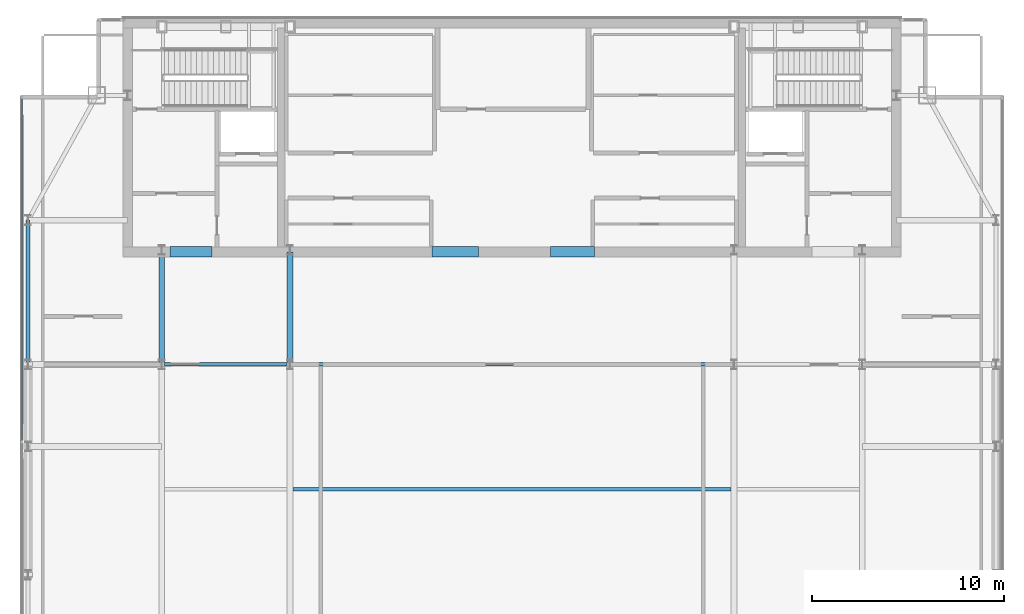
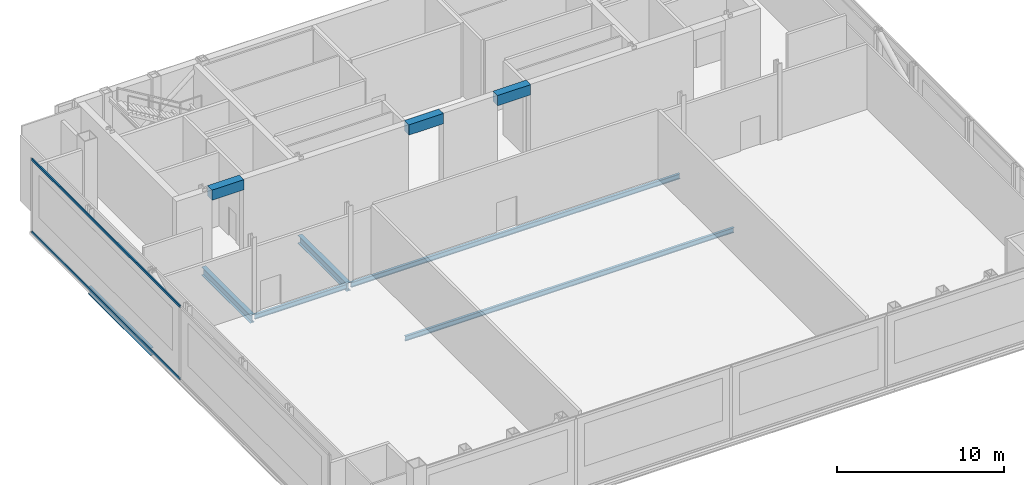
# One storey, part 9 of 22: 9 beams, 2 members, 1 element without a shape of its own.
"""IFC4 building model written with IfcOpenShell, lengths in metres."""

from ifc_helpers import new_model, si_unit, direction, frame, origin, origin_2d, place, context, subcontext, project, spatial, rectangle, hollow_rectangle, i_section, extrude, material, material_profile, profile_set, type_object, element, aggregate, save


model = new_model("IFC4")

# Units and contexts
model_context = context("Model", 3, precision=1e-05, world=origin(), true_north=direction((0.0, 1.0)))
body_context = subcontext(model_context, "Body", "Model", "MODEL_VIEW")
ifc_project = project(units=[si_unit("LENGTHUNIT", "METRE"), si_unit("AREAUNIT", "SQUARE_METRE"), si_unit("VOLUMEUNIT", "CUBIC_METRE"), si_unit("PLANEANGLEUNIT", "RADIAN"), si_unit("MASSUNIT", "GRAM", prefix="KILO")], contexts=[model_context])

# Site, building, storey
site_placement = place(None, origin())
site = spatial("IfcSite", under=ifc_project, at=site_placement, CompositionType="ELEMENT")
building_placement = place(site_placement, origin())
building = spatial("IfcBuilding", under=site, at=building_placement, Name="Khoronbel Lancet Exchange", CompositionType="ELEMENT")
storey_placement = place(building_placement, frame((0.0, 0.0, 373.0)))
storey = spatial("IfcBuildingStorey", under=building, at=storey_placement, Name="L95", CompositionType="ELEMENT", Elevation=373.0)

# Beams
ifc_material_1 = material(Name="Steel S355", Category="steel")
ifc_material_profile_1 = material_profile(ifc_material_1, i_section(OverallWidth=0.300048828125, OverallDepth=0.60009765625, WebThickness=0.015380859375, FlangeThickness=0.030029296875, at=origin_2d()), Name="HEB 600")
ifc_profile_set_1 = profile_set([ifc_material_profile_1], Name="Steel S355")
beam_type_1 = type_object("IfcBeamType", Name="BM-BG5", PredefinedType="BEAM", material=ifc_profile_set_1)
for number, where, z_axis, x_axis, name in (
    (1, (18.22509765625, 35.699951171875, -0.5), (0.0, 1.0, 0.0), (-1.0, 0.0, 0.0), "Level L95 spine tie girder GN1"),
    (2, (24.89990234375, 35.699951171875, -0.5), (0.0, 1.0, 0.0), (-1.0, 0.0, 0.0), "Level L95 spine tie girder GN2"),
):
    element("IfcBeam", number, at=place(storey_placement, frame(where, z_axis=z_axis, x_axis=x_axis)), inside=storey, type_object=beam_type_1, Name=name, PredefinedType="BEAM", context=body_context, shape_type="SweptSolid", body=[
        extrude(i_section(OverallWidth=0.300048828125, OverallDepth=0.60009765625, WebThickness=0.015380859375, FlangeThickness=0.030029296875, at=origin_2d()), origin(), (0.0, 0.0, 1.0), 5.85009765625),
    ])
ifc_material_profile_2 = material_profile(ifc_material_1, i_section(OverallWidth=0.169921875, OverallDepth=0.360107421875, WebThickness=0.008056640625, FlangeThickness=0.0126953125, at=origin_2d()), Name="IPE 360")
ifc_profile_set_2 = profile_set([ifc_material_profile_2], Name="Steel S355")
beam_type_2 = type_object("IfcBeamType", Name="BM-BJ6", PredefinedType="JOIST", material=ifc_profile_set_2)
beam_1_placement = place(storey_placement, frame((25.050048828125, 29.199951171875, -0.3798828125), z_axis=(1.0, 0.0, 0.0), x_axis=(0.0, 1.0, 0.0)))
element("IfcBeam", 3, at=beam_1_placement, inside=storey, type_object=beam_type_2, Name="Level L95 secondary composite joist J08", PredefinedType="JOIST", context=body_context, shape_type="SweptSolid", body=[
    extrude(i_section(OverallWidth=0.169921875, OverallDepth=0.360107421875, WebThickness=0.008056640625, FlangeThickness=0.0126953125, at=origin_2d()), origin(), (0.0, 0.0, 1.0), 22.800048828125),
])
beam_2_placement = place(storey_placement, frame((18.375, 35.699951171875, -0.3798828125), z_axis=(1.0, 0.0, 0.0), x_axis=(0.0, 1.0, 0.0)))
element("IfcBeam", 4, at=beam_2_placement, inside=storey, type_object=beam_type_2, Name="Level L95 secondary composite joist J10", PredefinedType="JOIST", context=body_context, shape_type="SweptSolid", body=[
    extrude(i_section(OverallWidth=0.169921875, OverallDepth=0.360107421875, WebThickness=0.008056640625, FlangeThickness=0.0126953125, at=origin_2d()), origin(), (0.0, 0.0, 1.0), 6.375),
])
beam_3_placement = place(storey_placement, frame((25.050048828125, 35.699951171875, -0.3798828125), z_axis=(1.0, 0.0, 0.0), x_axis=(0.0, 1.0, 0.0)))
element("IfcBeam", 5, at=beam_3_placement, inside=storey, type_object=beam_type_2, Name="Level L95 secondary composite joist J11", PredefinedType="JOIST", context=body_context, shape_type="SweptSolid", body=[
    extrude(i_section(OverallWidth=0.169921875, OverallDepth=0.360107421875, WebThickness=0.008056640625, FlangeThickness=0.0126953125, at=origin_2d()), origin(), (0.0, 0.0, 1.0), 22.800048828125),
])
ifc_material_2 = material(Name="Concrete C60/75", Category="concrete")
ifc_material_profile_3 = material_profile(ifc_material_2, rectangle(XDim=0.550048828125, YDim=0.75, at=origin_2d()), Name="RC 550x750")
ifc_profile_set_3 = profile_set([ifc_material_profile_3], Name="Concrete C60/75")
beam_type_3 = type_object("IfcBeamType", Name="BM-BL2", PredefinedType="LINTEL", material=ifc_profile_set_3)
beam_4_placement = place(storey_placement, frame((18.64990234375, 41.550048828125, 5.02490234375), z_axis=(1.0, 0.0, 0.0), x_axis=(0.0, 1.0, 0.0)))
element("IfcBeam", 6, at=beam_4_placement, inside=storey, type_object=beam_type_3, Name="Level L95 rear core coupling lintel L1", PredefinedType="LINTEL", context=body_context, shape_type="SweptSolid", body=[
    extrude(rectangle(XDim=0.550048828125, YDim=0.75, at=origin_2d()), origin(), (0.0, 0.0, 1.0), 2.2001953125),
])
beam_5_placement = place(storey_placement, frame((32.300048828125, 41.550048828125, 5.02490234375), z_axis=(1.0, 0.0, 0.0), x_axis=(0.0, 1.0, 0.0)))
element("IfcBeam", 7, at=beam_5_placement, inside=storey, type_object=beam_type_3, Name="Level L95 rear core coupling lintel L2", PredefinedType="LINTEL", context=body_context, shape_type="SweptSolid", body=[
    extrude(rectangle(XDim=0.550048828125, YDim=0.75, at=origin_2d()), origin(), (0.0, 0.0, 1.0), 2.39990234375),
])
beam_6_placement = place(storey_placement, frame((38.449951171875, 41.550048828125, 5.02490234375), z_axis=(1.0, 0.0, 0.0), x_axis=(0.0, 1.0, 0.0)))
element("IfcBeam", 8, at=beam_6_placement, inside=storey, type_object=beam_type_3, Name="Level L95 rear core coupling lintel L3", PredefinedType="LINTEL", context=body_context, shape_type="SweptSolid", body=[
    extrude(rectangle(XDim=0.550048828125, YDim=0.75, at=origin_2d()), origin(), (0.0, 0.0, 1.0), 2.300048828125),
])
ifc_material_profile_4 = material_profile(ifc_material_1, i_section(OverallWidth=0.2099609375, OverallDepth=0.550048828125, WebThickness=0.010986328125, FlangeThickness=0.01708984375, at=origin_2d()), Name="IPE 550")
ifc_profile_set_4 = profile_set([ifc_material_profile_4], Name="Steel S355")
beam_type_4 = type_object("IfcBeamType", Name="BM-BSP3", PredefinedType="SPANDREL", material=ifc_profile_set_4)
beam_7_placement = place(storey_placement, frame((11.27001953125, 43.199951171875, -0.47509765625), z_axis=(0.0, -1.0, 0.0), x_axis=(1.0, 0.0, 0.0)))
element("IfcBeam", 9, at=beam_7_placement, inside=storey, type_object=beam_type_4, Name="Level L95 perimeter spandrel beam SP15", PredefinedType="SPANDREL", context=body_context, shape_type="SweptSolid", body=[
    extrude(i_section(OverallWidth=0.2099609375, OverallDepth=0.550048828125, WebThickness=0.010986328125, FlangeThickness=0.01708984375, at=origin_2d()), origin(), (0.0, 0.0, 1.0), 7.5),
])

# Curtain wall, members
ifc_material_3 = material(Name="Low-E Solar Control Insulating Glass", Category="glass")
curtain_wall_type = type_object("IfcCurtainWallType", Name="CW-6", PredefinedType="NOTDEFINED", material=ifc_material_3)
curtain_wall_placement = place(storey_placement, origin())
curtain_wall = element("IfcCurtainWall", 10, at=curtain_wall_placement, inside=storey, type_object=curtain_wall_type, Name="Unitised curtain wall CW-L95-E03", PredefinedType="NOTDEFINED")
ifc_material_4 = material(Name="Bronze-Anodised Aluminium 6063-T6", Category="aluminium")
ifc_material_profile_5 = material_profile(ifc_material_4, hollow_rectangle(XDim=0.0849609375, YDim=0.179931640625, WallThickness=0.0048828125, at=origin_2d()), Name="ALU TRANSOM 85x180")
ifc_profile_set_5 = profile_set([ifc_material_profile_5], Name="Bronze-Anodised Aluminium 6063-T6")
member_type = type_object("IfcMemberType", Name="MEM-CWT1", PredefinedType="USERDEFINED", material=ifc_profile_set_5)
member_1_placement = place(storey_placement, frame((10.93994140625, 31.737548828125, 0.04248046875), z_axis=(0.0, 1.0, 0.0), x_axis=(-1.0, 0.0, 0.0)))
member_1 = element("IfcMember", 11, at=member_1_placement, type_object=member_type, Name="CW6 transom 2.1", ObjectType="TRANSOM", PredefinedType="USERDEFINED", context=body_context, shape_type="SweptSolid", body=[
    extrude(hollow_rectangle(XDim=0.0849609375, YDim=0.179931640625, WallThickness=0.0048828125, at=origin_2d()), origin(), (0.0, 0.0, 1.0), 17.79736328125),
])
member_2_placement = place(storey_placement, frame((10.93994140625, 31.737548828125, 5.357421875), z_axis=(0.0, 1.0, 0.0), x_axis=(-1.0, 0.0, 0.0)))
member_2 = element("IfcMember", 12, at=member_2_placement, type_object=member_type, Name="CW6 transom 2.2", ObjectType="TRANSOM", PredefinedType="USERDEFINED", context=body_context, shape_type="SweptSolid", body=[
    extrude(hollow_rectangle(XDim=0.0849609375, YDim=0.179931640625, WallThickness=0.0048828125, at=origin_2d()), origin(), (0.0, 0.0, 1.0), 17.79736328125),
])
aggregate(curtain_wall, [member_1, member_2])

save(model, "model.ifc")
